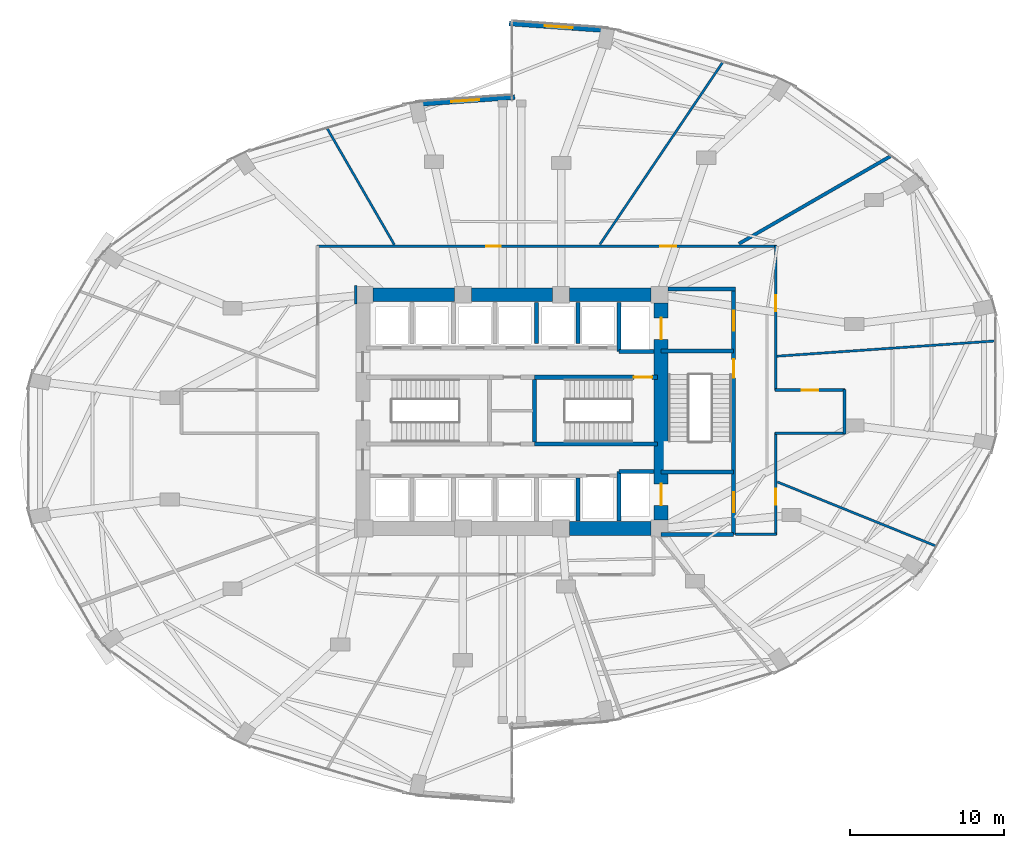
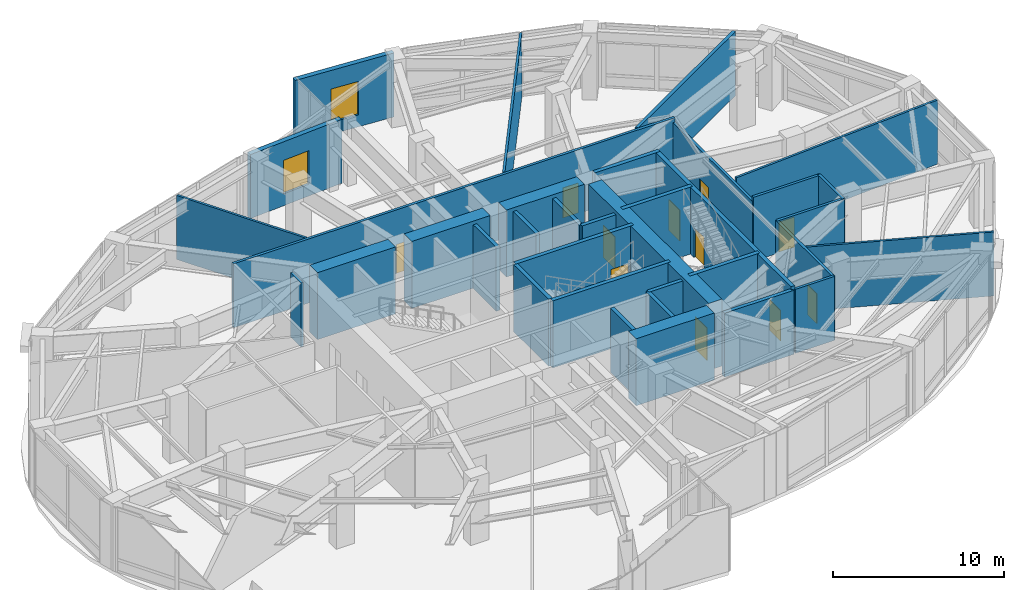
# One storey, part 22 of 24: 35 walls, 11 doors, 2 windows, 13 openings.
"""IFC4 building model written with IfcOpenShell, lengths in metres."""

from ifc_helpers import new_model, si_unit, direction, frame, frame_2d, origin, place, context, subcontext, project, spatial, rectangle, extrude, material, layer, layer_set, type_object, element, fill, save


model = new_model("IFC4")

# Units and contexts
model_context = context("Model", 3, precision=1e-05, world=origin(), true_north=direction((0.0, 1.0)))
body_context = subcontext(model_context, "Body", "Model", "MODEL_VIEW")
ifc_project = project(units=[si_unit("LENGTHUNIT", "METRE"), si_unit("AREAUNIT", "SQUARE_METRE"), si_unit("VOLUMEUNIT", "CUBIC_METRE"), si_unit("PLANEANGLEUNIT", "RADIAN"), si_unit("MASSUNIT", "GRAM", prefix="KILO")], contexts=[model_context])

# Site, building, storey
site_placement = place(None, origin())
site = spatial("IfcSite", under=ifc_project, at=site_placement, CompositionType="ELEMENT")
building_placement = place(site_placement, origin())
building = spatial("IfcBuilding", under=site, at=building_placement, Name="Lazwardi Medical Tower", CompositionType="ELEMENT")
storey_placement = place(building_placement, frame((0.0, 0.0, 20.39990234375)))
storey = spatial("IfcBuildingStorey", under=building, at=storey_placement, Name="L04", CompositionType="ELEMENT", Elevation=20.39990234375)

# Wall, openings, doors
ifc_material_1 = material(Name="Fire-rated gypsum board on steel stud", Category="steel")
ifc_layer_1 = layer(ifc_material_1, 0.179931640625)
ifc_layer_set_1 = layer_set([ifc_layer_1], Name="Fire-rated gypsum board on steel stud")
wall_type_1 = type_object("IfcWallType", Name="WL-COR-180", PredefinedType="PARTITIONING", material=ifc_layer_set_1)
wall_1_placement = place(storey_placement, frame((23.31005859375, 38.75, 0.0), z_axis=(0.0, 0.0, 1.0), x_axis=(1.0, 0.0, 0.0)))
wall_1 = element("IfcWall", 1, at=wall_1_placement, inside=storey, type_object=wall_type_1, Name="L04 Corridor partition 4", PredefinedType="PARTITIONING", context=body_context, shape_type="SweptSolid", body=[
    extrude(rectangle(XDim=29.8798828125, YDim=0.179931640625, at=frame_2d((14.93994140625, 0.0))), origin(), (0.0, 0.0, 1.0), 4.580078125),
])
opening_1_placement = place(wall_1_placement, frame((22.32421875, 0.0, 0.0)))
opening_1 = element("IfcOpeningElement", 2, at=opening_1_placement, cuts=wall_1, Name="Opening D-L04-014", PredefinedType="OPENING", context=body_context, shape_type="SweptSolid", body=[
    extrude(rectangle(XDim=1.050048828125, YDim=2.14990234375, at=frame_2d((0.52490234375, 1.074951171875))), frame((0.0, 0.099853515625, 0.0), z_axis=(0.0, -1.0, 0.0), x_axis=(1.0, 0.0, 0.0)), (0.0, 0.0, 1.0), 0.199951171875),
])
opening_2_placement = place(wall_1_placement, frame((11.014892578125, 0.0, 0.0)))
opening_2 = element("IfcOpeningElement", 3, at=opening_2_placement, cuts=wall_1, Name="Opening D-L04-015", PredefinedType="OPENING", context=body_context, shape_type="SweptSolid", body=[
    extrude(rectangle(XDim=0.949951171875, YDim=2.10009765625, at=frame_2d((0.47509765625, 1.050048828125))), frame((0.0, 0.099853515625, 0.0), z_axis=(0.0, -1.0, 0.0), x_axis=(1.0, 0.0, 0.0)), (0.0, 0.0, 1.0), 0.199951171875),
])
ifc_material_2 = material(Name="Anti-microbial laminate hospital leaf")
door_type_1 = type_object("IfcDoorType", Name="DR-CLN-1050", OperationType="NOTDEFINED", PredefinedType="DOOR", material=ifc_material_2)
door_1_placement = place(opening_1_placement, origin())
door_1 = element("IfcDoor", 4, at=door_1_placement, inside=storey, type_object=door_type_1, Name="L04 Medication Preparation Room Door 08", OperationType="SINGLE_SWING_RIGHT", OverallHeight=2.14990234375, OverallWidth=1.050048828125, PredefinedType="DOOR", context=body_context, shape_type="SweptSolid", body=[
    extrude(rectangle(XDim=1.050048828125, YDim=2.14990234375, at=frame_2d((0.52490234375, 1.074951171875))), frame((0.0, 0.02490234375, 0.0), z_axis=(0.0, -1.0, 0.0), x_axis=(1.0, 0.0, 0.0)), (0.0, 0.0, 1.0), 0.050048828125),
])
fill(opening_1, door_1)
ifc_material_3 = material(Name="Moisture-resistant laminate door leaf")
door_type_2 = type_object("IfcDoorType", Name="DR-ENS-950", OperationType="NOTDEFINED", PredefinedType="DOOR", material=ifc_material_3)
door_2_placement = place(opening_2_placement, origin())
door_2 = element("IfcDoor", 5, at=door_2_placement, inside=storey, type_object=door_type_2, Name="L04 Operating Theatre Door 09", OperationType="SINGLE_SWING_LEFT", OverallHeight=2.10009765625, OverallWidth=0.949951171875, PredefinedType="DOOR", context=body_context, shape_type="SweptSolid", body=[
    extrude(rectangle(XDim=0.949951171875, YDim=2.10009765625, at=frame_2d((0.47509765625, 1.050048828125))), frame((0.0, 0.02490234375, 0.0), z_axis=(0.0, -1.0, 0.0), x_axis=(1.0, 0.0, 0.0)), (0.0, 0.0, 1.0), 0.050048828125),
])
fill(opening_2, door_2)

# Wall, opening, door
wall_2_placement = place(storey_placement, frame((53.14990234375, 38.7900390625, 0.0), z_axis=(0.0, 0.0, 1.0), x_axis=(0.0, -1.0, 0.0)))
wall_2 = element("IfcWall", 6, at=wall_2_placement, inside=storey, type_object=wall_type_1, Name="L04 Corridor partition 5", PredefinedType="PARTITIONING", context=body_context, shape_type="SweptSolid", body=[
    extrude(rectangle(XDim=9.429931640625, YDim=0.179931640625, at=frame_2d((4.71484375, 0.0))), origin(), (0.0, 0.0, 1.0), 4.26513671875),
])
opening_3_placement = place(wall_2_placement, frame((3.22607421875, 0.0, 0.0)))
opening_3 = element("IfcOpeningElement", 7, at=opening_3_placement, cuts=wall_2, Name="Opening D-L04-013", PredefinedType="OPENING", context=body_context, shape_type="SweptSolid", body=[
    extrude(rectangle(XDim=1.050048828125, YDim=2.14990234375, at=frame_2d((0.52490234375, 1.074951171875))), frame((0.0, 0.099853515625, 0.0), z_axis=(0.0, -1.0, 0.0), x_axis=(1.0, 0.0, 0.0)), (0.0, 0.0, 1.0), 0.199951171875),
])
door_3_placement = place(opening_3_placement, origin())
door_3 = element("IfcDoor", 8, at=door_3_placement, inside=storey, type_object=door_type_1, Name="L04 Clean Utility Room Door 07", OperationType="SINGLE_SWING_LEFT", OverallHeight=2.14990234375, OverallWidth=1.050048828125, PredefinedType="DOOR", context=body_context, shape_type="SweptSolid", body=[
    extrude(rectangle(XDim=1.050048828125, YDim=2.14990234375, at=frame_2d((0.52490234375, 1.074951171875))), frame((0.0, 0.02490234375, 0.0), z_axis=(0.0, -1.0, 0.0), x_axis=(1.0, 0.0, 0.0)), (0.0, 0.0, 1.0), 0.050048828125),
])
fill(opening_3, door_3)

wall_3_placement = place(storey_placement, frame((53.110107421875, 29.39990234375, 0.0), z_axis=(0.0, 0.0, 1.0), x_axis=(1.0, 0.0, 0.0)))
wall_3 = element("IfcWall", 9, at=wall_3_placement, inside=storey, type_object=wall_type_1, Name="L04 Corridor partition 6", PredefinedType="PARTITIONING", context=body_context, shape_type="SweptSolid", body=[
    extrude(rectangle(XDim=4.5478515625, YDim=0.179931640625, at=frame_2d((2.27392578125, 0.0))), origin(), (0.0, 0.0, 1.0), 4.580078125),
])
opening_4_placement = place(wall_3_placement, frame((1.7490234375, 0.0, 0.0)))
opening_4 = element("IfcOpeningElement", 10, at=opening_4_placement, cuts=wall_3, Name="Opening D-L04-012", PredefinedType="OPENING", context=body_context, shape_type="SweptSolid", body=[
    extrude(rectangle(XDim=1.050048828125, YDim=2.14990234375, at=frame_2d((0.52490234375, 1.074951171875))), frame((0.0, 0.099853515625, 0.0), z_axis=(0.0, -1.0, 0.0), x_axis=(1.0, 0.0, 0.0)), (0.0, 0.0, 1.0), 0.199951171875),
])
door_4_placement = place(opening_4_placement, origin())
door_4 = element("IfcDoor", 11, at=door_4_placement, inside=storey, type_object=door_type_1, Name="L04 Staff Changing and Shower Room Door 06", OperationType="SINGLE_SWING_RIGHT", OverallHeight=2.14990234375, OverallWidth=1.050048828125, PredefinedType="DOOR", context=body_context, shape_type="SweptSolid", body=[
    extrude(rectangle(XDim=1.050048828125, YDim=2.14990234375, at=frame_2d((0.52490234375, 1.074951171875))), frame((0.0, 0.02490234375, 0.0), z_axis=(0.0, -1.0, 0.0), x_axis=(1.0, 0.0, 0.0)), (0.0, 0.0, 1.0), 0.050048828125),
])
fill(opening_4, door_4)

# Walls
wall_4_placement = place(storey_placement, frame((57.617919921875, 29.43994140625, 0.0), z_axis=(0.0, 0.0, 1.0), x_axis=(0.0, -1.0, 0.0)))
element("IfcWall", 12, at=wall_4_placement, inside=storey, type_object=wall_type_1, Name="L04 Corridor partition 7", PredefinedType="PARTITIONING", context=body_context, shape_type="SweptSolid", body=[
    extrude(rectangle(XDim=2.8798828125, YDim=0.179931640625, at=frame_2d((1.43994140625, 0.0))), origin(), (0.0, 0.0, 1.0), 4.580078125),
])
wall_5_placement = place(storey_placement, frame((57.657958984375, 26.60009765625, 0.0), z_axis=(0.0, 0.0, 1.0), x_axis=(-1.0, 0.0, 0.0)))
element("IfcWall", 13, at=wall_5_placement, inside=storey, type_object=wall_type_1, Name="L04 Corridor partition 8", PredefinedType="PARTITIONING", context=body_context, shape_type="SweptSolid", body=[
    extrude(rectangle(XDim=4.5478515625, YDim=0.179931640625, at=frame_2d((2.27392578125, 0.0))), origin(), (0.0, 0.0, 1.0), 4.580078125),
])

# Wall, opening, door
wall_6_placement = place(storey_placement, frame((53.14990234375, 26.639892578125, 0.0), z_axis=(0.0, 0.0, 1.0), x_axis=(0.0, -1.0, 0.0)))
wall_6 = element("IfcWall", 14, at=wall_6_placement, inside=storey, type_object=wall_type_1, Name="L04 Corridor partition 9", PredefinedType="PARTITIONING", context=body_context, shape_type="SweptSolid", body=[
    extrude(rectangle(XDim=6.659912109375, YDim=0.179931640625, at=frame_2d((3.330078125, 0.0))), origin(), (0.0, 0.0, 1.0), 4.580078125),
])
opening_5_placement = place(wall_6_placement, frame((3.653076171875, 0.0, 0.0)))
opening_5 = element("IfcOpeningElement", 15, at=opening_5_placement, cuts=wall_6, Name="Opening D-L04-011", PredefinedType="OPENING", context=body_context, shape_type="SweptSolid", body=[
    extrude(rectangle(XDim=1.050048828125, YDim=2.14990234375, at=frame_2d((0.52490234375, 1.074951171875))), frame((0.0, 0.099853515625, 0.0), z_axis=(0.0, -1.0, 0.0), x_axis=(1.0, 0.0, 0.0)), (0.0, 0.0, 1.0), 0.199951171875),
])
door_5_placement = place(opening_5_placement, origin())
door_5 = element("IfcDoor", 16, at=door_5_placement, inside=storey, type_object=door_type_1, Name="L04 Post-Anaesthesia Recovery Ward Door 05", OperationType="SINGLE_SWING_LEFT", OverallHeight=2.14990234375, OverallWidth=1.050048828125, PredefinedType="DOOR", context=body_context, shape_type="SweptSolid", body=[
    extrude(rectangle(XDim=1.050048828125, YDim=2.14990234375, at=frame_2d((0.52490234375, 1.074951171875))), frame((0.0, 0.02490234375, 0.0), z_axis=(0.0, -1.0, 0.0), x_axis=(1.0, 0.0, 0.0)), (0.0, 0.0, 1.0), 0.050048828125),
])
fill(opening_5, door_5)

# Walls
wall_7_placement = place(storey_placement, frame((53.18994140625, 20.02001953125, 0.0), z_axis=(0.0, 0.0, 1.0), x_axis=(-1.0, 0.0, 0.0)))
element("IfcWall", 17, at=wall_7_placement, inside=storey, type_object=wall_type_1, Name="L04 Corridor partition 10", PredefinedType="PARTITIONING", context=body_context, shape_type="SweptSolid", body=[
    extrude(rectangle(XDim=2.64990234375, YDim=0.179931640625, at=frame_2d((1.324951171875, 0.0))), origin(), (0.0, 0.0, 1.0), 4.580078125),
])
wall_8_placement = place(storey_placement, frame((25.830078125, 36.2099609375, 0.0), z_axis=(0.0, 0.0, 1.0), x_axis=(0.0, -1.0, 0.0)))
element("IfcWall", 18, at=wall_8_placement, inside=storey, type_object=wall_type_1, Name="L04 Corridor partition 11", PredefinedType="PARTITIONING", context=body_context, shape_type="SweptSolid", body=[
    extrude(rectangle(XDim=1.219970703125, YDim=0.179931640625, at=frame_2d((0.60986328125, 0.0))), origin(), (0.0, 0.0, 1.0), 4.580078125),
])

# Wall, openings, doors
ifc_material_4 = material(Name="Concrete C80/95", Category="concrete")
ifc_layer_2 = layer(ifc_material_4, 0.89990234375)
ifc_layer_set_2 = layer_set([ifc_layer_2], Name="Concrete C80/95")
wall_type_2 = type_object("IfcWallType", Name="WL-CORE-900", PredefinedType="SHEAR", material=ifc_layer_set_2)
wall_9_placement = place(storey_placement, frame((45.699951171875, 20.949951171875, 0.0), z_axis=(0.0, 0.0, 1.0), x_axis=(0.0, 1.0, 0.0)))
wall_9 = element("IfcWall", 19, at=wall_9_placement, inside=storey, type_object=wall_type_2, Name="Core wall CW-S1 east L04", PredefinedType="SHEAR", context=body_context, shape_type="SweptSolid", body=[
    extrude(rectangle(XDim=14.10009765625, YDim=0.89990234375, at=frame_2d((7.050048828125, 0.0))), origin(), (0.0, 0.0, 1.0), 4.800048828125),
])
opening_6_placement = place(wall_9_placement, frame((11.75, 0.0, 0.0)))
opening_6 = element("IfcOpeningElement", 20, at=opening_6_placement, cuts=wall_9, Name="Opening LD-L04-001", PredefinedType="OPENING", context=body_context, shape_type="SweptSolid", body=[
    extrude(rectangle(XDim=1.39990234375, YDim=2.300048828125, at=frame_2d((0.699951171875, 1.14990234375))), frame((0.0, 0.4599609375, 0.0), z_axis=(0.0, -1.0, 0.0), x_axis=(1.0, 0.0, 0.0)), (0.0, 0.0, 1.0), 0.919921875),
])
opening_7_placement = place(wall_9_placement, frame((0.949951171875, 0.0, 0.0)))
opening_7 = element("IfcOpeningElement", 21, at=opening_7_placement, cuts=wall_9, Name="Opening LD-L04-002", PredefinedType="OPENING", context=body_context, shape_type="SweptSolid", body=[
    extrude(rectangle(XDim=1.39990234375, YDim=2.300048828125, at=frame_2d((0.699951171875, 1.14990234375))), frame((0.0, 0.4599609375, 0.0), z_axis=(0.0, -1.0, 0.0), x_axis=(1.0, 0.0, 0.0)), (0.0, 0.0, 1.0), 0.919921875),
])
ifc_material_5 = material(Name="Brushed stainless steel bed-lift landing door", Category="steel")
door_type_3 = type_object("IfcDoorType", Name="DR-LFT-1400", OperationType="NOTDEFINED", PredefinedType="DOOR", material=ifc_material_5)
door_6_placement = place(opening_6_placement, origin())
door_6 = element("IfcDoor", 22, at=door_6_placement, inside=storey, type_object=door_type_3, Name="L04 Lift Landing Door FL-01", OperationType="SLIDING_TO_LEFT", OverallHeight=2.300048828125, OverallWidth=1.39990234375, PredefinedType="DOOR", context=body_context, shape_type="SweptSolid", body=[
    extrude(rectangle(XDim=1.39990234375, YDim=2.300048828125, at=frame_2d((0.699951171875, 1.14990234375))), frame((0.0, 0.02490234375, 0.0), z_axis=(0.0, -1.0, 0.0), x_axis=(1.0, 0.0, 0.0)), (0.0, 0.0, 1.0), 0.050048828125),
])
fill(opening_6, door_6)
door_7_placement = place(opening_7_placement, origin())
door_7 = element("IfcDoor", 23, at=door_7_placement, inside=storey, type_object=door_type_3, Name="L04 Lift Landing Door FL-02", OperationType="SLIDING_TO_LEFT", OverallHeight=2.300048828125, OverallWidth=1.39990234375, PredefinedType="DOOR", context=body_context, shape_type="SweptSolid", body=[
    extrude(rectangle(XDim=1.39990234375, YDim=2.300048828125, at=frame_2d((0.699951171875, 1.14990234375))), frame((0.0, 0.02490234375, 0.0), z_axis=(0.0, -1.0, 0.0), x_axis=(1.0, 0.0, 0.0)), (0.0, 0.0, 1.0), 0.050048828125),
])
fill(opening_7, door_7)

# Walls
wall_10_placement = place(storey_placement, frame((26.949951171875, 35.60009765625, 0.0), z_axis=(0.0, 0.0, 1.0), x_axis=(1.0, 0.0, 0.0)))
element("IfcWall", 24, at=wall_10_placement, inside=storey, type_object=wall_type_2, Name="Core wall CW-S1 N1 L04", PredefinedType="SHEAR", context=body_context, shape_type="SweptSolid", body=[
    extrude(rectangle(XDim=5.300048828125, YDim=0.89990234375, at=frame_2d((2.64990234375, 0.0))), origin(), (0.0, 0.0, 1.0), 4.800048828125),
])
wall_11_placement = place(storey_placement, frame((33.35009765625, 35.60009765625, 0.0), z_axis=(0.0, 0.0, 1.0), x_axis=(1.0, 0.0, 0.0)))
element("IfcWall", 25, at=wall_11_placement, inside=storey, type_object=wall_type_2, Name="Core wall CW-S1 N2 L04", PredefinedType="SHEAR", context=body_context, shape_type="SweptSolid", body=[
    extrude(rectangle(XDim=5.2998046875, YDim=0.89990234375, at=frame_2d((2.64990234375, 0.0))), origin(), (0.0, 0.0, 1.0), 4.800048828125),
])
for number, where, z_axis, x_axis, name in (
    (26, (39.75, 20.39990234375, 0.0), (0.0, 0.0, 1.0), (1.0, 0.0, 0.0), "Core wall CW-S1 S3 L04"),
    (27, (39.75, 35.60009765625, 0.0), (0.0, 0.0, 1.0), (1.0, 0.0, 0.0), "Core wall CW-S1 N3 L04"),
):
    element("IfcWall", number, at=place(storey_placement, frame(where, z_axis=z_axis, x_axis=x_axis)), inside=storey, type_object=wall_type_2, Name=name, PredefinedType="SHEAR", context=body_context, shape_type="SweptSolid", body=[
        extrude(rectangle(XDim=5.300048828125, YDim=0.89990234375, at=frame_2d((2.64990234375, 0.0))), origin(), (0.0, 0.0, 1.0), 4.800048828125),
    ])

# Wall, opening, window
ifc_material_6 = material(Name="Precast concrete C45/55", Category="concrete")
ifc_layer_3 = layer(ifc_material_6, 0.320068359375)
ifc_layer_set_3 = layer_set([ifc_layer_3], Name="Precast concrete C45/55")
wall_type_3 = type_object("IfcWallType", Name="WL-IWAN-320", PredefinedType="SOLIDWALL", material=ifc_layer_set_3)
wall_12_placement = place(storey_placement, frame((42.26171875, 52.797607421875, 0.0), z_axis=(0.0, 0.0, 1.0), x_axis=(-0.99751367159, 0.070473221795, 0.0)))
wall_12 = element("IfcWall", 28, at=wall_12_placement, inside=storey, type_object=wall_type_3, Name="L04 Iwan Portal Return Wall NE_ret", PredefinedType="SOLIDWALL", context=body_context, shape_type="SweptSolid", body=[
    extrude(rectangle(XDim=6.45751953125, YDim=0.320068359375, at=frame_2d((3.228759765625, 0.0))), origin(), (0.0, 0.0, 1.0), 4.580078125),
])
opening_8_placement = place(wall_12_placement, frame((2.32861328125, 0.0, 0.85009765625)))
opening_8 = element("IfcOpeningElement", 29, at=opening_8_placement, cuts=wall_12, Name="Opening WN-03", PredefinedType="OPENING", context=body_context, shape_type="SweptSolid", body=[
    extrude(rectangle(XDim=1.800048828125, YDim=2.39990234375, at=frame_2d((0.89990234375, 1.199951171875))), frame((0.0, 0.169921875, 0.0), z_axis=(0.0, -1.0, 0.0), x_axis=(1.0, 0.0, 0.0)), (0.0, 0.0, 1.0), 0.340087890625),
])
ifc_material_7 = material(Name="Laminated acoustic bronze double glazing", Category="glass")
window_type = type_object("IfcWindowType", Name="WIN-POD-1800", PartitioningType="SINGLE_PANEL", PredefinedType="WINDOW", material=ifc_material_7)
window_1_placement = place(opening_8_placement, origin())
window_1 = element("IfcWindow", 30, at=window_1_placement, inside=storey, type_object=window_type, Name="L04 Iwan Slot Window NE_ret", OverallHeight=2.39990234375, OverallWidth=1.800048828125, PartitioningType="SINGLE_PANEL", PredefinedType="WINDOW", context=body_context, shape_type="SweptSolid", body=[
    extrude(rectangle(XDim=1.800048828125, YDim=2.39990234375, at=frame_2d((0.89990234375, 1.199951171875))), frame((0.0, 0.030029296875, 0.0), z_axis=(0.0, -1.0, 0.0), x_axis=(1.0, 0.0, 0.0)), (0.0, 0.0, 1.0), 0.06005859375),
])
fill(opening_8, window_1)

wall_13_placement = place(storey_placement, frame((36.178955078125, 48.45263671875, 0.0), z_axis=(0.0, 0.0, 1.0), x_axis=(-0.997513108184, -0.070481196075, 0.0)))
wall_13 = element("IfcWall", 31, at=wall_13_placement, inside=storey, type_object=wall_type_3, Name="L04 Iwan Portal Return Wall NW_ret", PredefinedType="SOLIDWALL", context=body_context, shape_type="SweptSolid", body=[
    extrude(rectangle(XDim=6.456787109375, YDim=0.320068359375, at=frame_2d((3.228515625, 0.0))), origin(), (0.0, 0.0, 1.0), 4.580078125),
])
opening_9_placement = place(wall_13_placement, frame((2.328369140625, 0.0, 0.85009765625)))
opening_9 = element("IfcOpeningElement", 32, at=opening_9_placement, cuts=wall_13, Name="Opening WN-03", PredefinedType="OPENING", context=body_context, shape_type="SweptSolid", body=[
    extrude(rectangle(XDim=1.800048828125, YDim=2.39990234375, at=frame_2d((0.89990234375, 1.199951171875))), frame((0.0, 0.169921875, 0.0), z_axis=(0.0, -1.0, 0.0), x_axis=(1.0, 0.0, 0.0)), (0.0, 0.0, 1.0), 0.340087890625),
])
window_2_placement = place(opening_9_placement, origin())
window_2 = element("IfcWindow", 33, at=window_2_placement, inside=storey, type_object=window_type, Name="L04 Iwan Slot Window NW_ret", OverallHeight=2.39990234375, OverallWidth=1.800048828125, PartitioningType="SINGLE_PANEL", PredefinedType="WINDOW", context=body_context, shape_type="SweptSolid", body=[
    extrude(rectangle(XDim=1.800048828125, YDim=2.39990234375, at=frame_2d((0.89990234375, 1.199951171875))), frame((0.0, 0.030029296875, 0.0), z_axis=(0.0, -1.0, 0.0), x_axis=(1.0, 0.0, 0.0)), (0.0, 0.0, 1.0), 0.06005859375),
])
fill(opening_9, window_2)

# Walls
ifc_material_8 = material(Name="Autoclaved aerated concrete blockwork", Category="masonry")
ifc_layer_4 = layer(ifc_material_8, 0.25)
ifc_layer_set_4 = layer_set([ifc_layer_4], Name="Autoclaved aerated concrete blockwork")
wall_type_4 = type_object("IfcWallType", Name="WL-SHAFT-250", PredefinedType="SOLIDWALL", material=ifc_layer_set_4)
wall_14_placement = place(storey_placement, frame((42.949951171875, 31.919921875, 0.0), z_axis=(0.0, 0.0, 1.0), x_axis=(0.0, 1.0, 0.0)))
element("IfcWall", 34, at=wall_14_placement, inside=storey, type_object=wall_type_4, Name="L04 FL-01 West shaft wall", PredefinedType="SOLIDWALL", context=body_context, shape_type="SweptSolid", body=[
    extrude(rectangle(XDim=3.18017578125, YDim=0.25, at=frame_2d((1.590087890625, 0.0))), origin(), (0.0, 0.0, 1.0), 4.580078125),
])
wall_15_placement = place(storey_placement, frame((42.949951171875, 31.919921875, 0.0), z_axis=(0.0, 0.0, 1.0), x_axis=(1.0, 0.0, 0.0)))
element("IfcWall", 35, at=wall_15_placement, inside=storey, type_object=wall_type_4, Name="L04 FL-01 South shaft wall", PredefinedType="SOLIDWALL", context=body_context, shape_type="SweptSolid", body=[
    extrude(rectangle(XDim=2.300048828125, YDim=0.25, at=frame_2d((1.14990234375, 0.0))), origin(), (0.0, 0.0, 1.0), 4.580078125),
])
wall_16_placement = place(storey_placement, frame((42.949951171875, 20.89990234375, 0.0), z_axis=(0.0, 0.0, 1.0), x_axis=(0.0, 1.0, 0.0)))
element("IfcWall", 36, at=wall_16_placement, inside=storey, type_object=wall_type_4, Name="L04 FL-02 West shaft wall", PredefinedType="SOLIDWALL", context=body_context, shape_type="SweptSolid", body=[
    extrude(rectangle(XDim=3.2001953125, YDim=0.25, at=frame_2d((1.60009765625, 0.0))), origin(), (0.0, 0.0, 1.0), 4.580078125),
])
wall_17_placement = place(storey_placement, frame((42.949951171875, 24.10009765625, 0.0), z_axis=(0.0, 0.0, 1.0), x_axis=(1.0, 0.0, 0.0)))
element("IfcWall", 37, at=wall_17_placement, inside=storey, type_object=wall_type_4, Name="L04 FL-02 North shaft wall", PredefinedType="SOLIDWALL", context=body_context, shape_type="SweptSolid", body=[
    extrude(rectangle(XDim=2.300048828125, YDim=0.25, at=frame_2d((1.14990234375, 0.0))), origin(), (0.0, 0.0, 1.0), 4.580078125),
])
for number, where, z_axis, x_axis, name in (
    (38, (37.60009765625, 32.419921875, 0.0), (0.0, 0.0, 1.0), (0.0, 1.0, 0.0), "L04 North hoistway divider"),
    (39, (40.300048828125, 32.419921875, 0.0), (0.0, 0.0, 1.0), (0.0, 1.0, 0.0), "L04 North hoistway divider"),
):
    element("IfcWall", number, at=place(storey_placement, frame(where, z_axis=z_axis, x_axis=x_axis)), inside=storey, type_object=wall_type_4, Name=name, PredefinedType="SOLIDWALL", context=body_context, shape_type="SweptSolid", body=[
        extrude(rectangle(XDim=2.68017578125, YDim=0.25, at=frame_2d((1.340087890625, 0.0))), origin(), (0.0, 0.0, 1.0), 4.580078125),
    ])
wall_18_placement = place(storey_placement, frame((40.300048828125, 20.89990234375, 0.0), z_axis=(0.0, 0.0, 1.0), x_axis=(0.0, 1.0, 0.0)))
element("IfcWall", 40, at=wall_18_placement, inside=storey, type_object=wall_type_4, Name="L04 South hoistway divider", PredefinedType="SOLIDWALL", context=body_context, shape_type="SweptSolid", body=[
    extrude(rectangle(XDim=2.800048828125, YDim=0.25, at=frame_2d((1.39990234375, 0.0))), origin(), (0.0, 0.0, 1.0), 4.580078125),
])
wall_19_placement = place(storey_placement, frame((45.699951171875, 20.02001953125, 0.0), z_axis=(0.0, 0.0, 1.0), x_axis=(1.0, 0.0, 0.0)))
element("IfcWall", 41, at=wall_19_placement, inside=storey, type_object=wall_type_4, Name="L04 FFL-S South wall", PredefinedType="SOLIDWALL", context=body_context, shape_type="SweptSolid", body=[
    extrude(rectangle(XDim=4.715087890625, YDim=0.25, at=frame_2d((2.357421875, 0.0))), origin(), (0.0, 0.0, 1.0), 4.580078125),
])
ifc_layer_5 = layer(ifc_material_1, 0.219970703125)
ifc_layer_set_5 = layer_set([ifc_layer_5], Name="Fire-rated gypsum board on steel stud")
wall_type_5 = type_object("IfcWallType", Name="WL-SMK-220", PredefinedType="PARTITIONING", material=ifc_layer_set_5)
wall_20_placement = place(storey_placement, frame((50.761474609375, 38.922607421875, 0.0), z_axis=(0.0, 0.0, 1.0), x_axis=(0.866026972346, 0.499997283162, 0.0)))
element("IfcWall", 42, at=wall_20_placement, inside=storey, type_object=wall_type_5, Name="L04 Room partition 5", PredefinedType="PARTITIONING", context=body_context, shape_type="SweptSolid", body=[
    extrude(rectangle(XDim=11.40625, YDim=0.219970703125, at=frame_2d((5.703125, 0.0))), origin(), (0.0, 0.0, 1.0), 4.580078125),
])

# Wall, opening, door
ifc_material_9 = material(Name="Concrete C50/60", Category="concrete")
ifc_layer_6 = layer(ifc_material_9, 0.27001953125)
ifc_layer_set_6 = layer_set([ifc_layer_6], Name="Concrete C50/60")
wall_type_6 = type_object("IfcWallType", Name="WL-STR-250", PredefinedType="SHEAR", material=ifc_layer_set_6)
wall_21_placement = place(storey_placement, frame((37.465087890625, 30.235107421875, 0.0), z_axis=(0.0, 0.0, 1.0), x_axis=(1.0, 0.0, 0.0)))
wall_21 = element("IfcWall", 43, at=wall_21_placement, inside=storey, type_object=wall_type_6, Name="L04 ST2 North shear shaft wall SW-S1", PredefinedType="SHEAR", context=body_context, shape_type="SweptSolid", body=[
    extrude(rectangle(XDim=7.98486328125, YDim=0.27001953125, at=frame_2d((3.992431640625, 0.0))), origin(), (0.0, 0.0, 1.0), 4.800048828125),
])
opening_10_placement = place(wall_21_placement, frame((6.455078125, 0.0, 0.0)))
opening_10 = element("IfcOpeningElement", 44, at=opening_10_placement, cuts=wall_21, Name="Opening D-L04-018", PredefinedType="OPENING", context=body_context, shape_type="SweptSolid", body=[
    extrude(rectangle(XDim=1.199951171875, YDim=2.14990234375, at=frame_2d((0.60009765625, 1.074951171875))), frame((0.0, 0.14501953125, 0.0), z_axis=(0.0, -1.0, 0.0), x_axis=(1.0, 0.0, 0.0)), (0.0, 0.0, 1.0), 0.2900390625),
])
ifc_material_10 = material(Name="Fire-rated steel leaf and frame", Category="steel")
door_type_4 = type_object("IfcDoorType", Name="DR-STR-1200", OperationType="NOTDEFINED", PredefinedType="DOOR", material=ifc_material_10)
door_8_placement = place(opening_10_placement, origin())
door_8 = element("IfcDoor", 45, at=door_8_placement, inside=storey, type_object=door_type_4, Name="L04 Exit Stair ST2 Door", OperationType="SINGLE_SWING_LEFT", OverallHeight=2.14990234375, OverallWidth=1.199951171875, PredefinedType="DOOR", context=body_context, shape_type="SweptSolid", body=[
    extrude(rectangle(XDim=1.199951171875, YDim=2.14990234375, at=frame_2d((0.60009765625, 1.074951171875))), frame((0.0, 0.02490234375, 0.0), z_axis=(0.0, -1.0, 0.0), x_axis=(1.0, 0.0, 0.0)), (0.0, 0.0, 1.0), 0.050048828125),
])
fill(opening_10, door_8)

# Walls
wall_22_placement = place(storey_placement, frame((37.465087890625, 25.885009765625, 0.0), z_axis=(0.0, 0.0, 1.0), x_axis=(1.0, 0.0, 0.0)))
element("IfcWall", 46, at=wall_22_placement, inside=storey, type_object=wall_type_6, Name="L04 ST2 South shear shaft wall SW-S1", PredefinedType="SHEAR", context=body_context, shape_type="SweptSolid", body=[
    extrude(rectangle(XDim=7.98486328125, YDim=0.27001953125, at=frame_2d((3.992431640625, 0.0))), origin(), (0.0, 0.0, 1.0), 4.800048828125),
])
wall_23_placement = place(storey_placement, frame((37.465087890625, 26.02001953125, 0.0), z_axis=(0.0, 0.0, 1.0), x_axis=(0.0, 1.0, 0.0)))
element("IfcWall", 47, at=wall_23_placement, inside=storey, type_object=wall_type_6, Name="L04 ST2 West shear shaft wall SW-S1", PredefinedType="SHEAR", context=body_context, shape_type="SweptSolid", body=[
    extrude(rectangle(XDim=4.080078125, YDim=0.27001953125, at=frame_2d((2.0400390625, 0.0))), origin(), (0.0, 0.0, 1.0), 4.800048828125),
])

# Wall, openings, doors
wall_24_placement = place(storey_placement, frame((50.4150390625, 35.844970703125, 0.0), z_axis=(0.0, 0.0, 1.0), x_axis=(0.0, -1.0, 0.0)))
wall_24 = element("IfcWall", 48, at=wall_24_placement, inside=storey, type_object=wall_type_6, Name="L04 East ST3 & FFL shear wall SW-S1", PredefinedType="SHEAR", context=body_context, shape_type="SweptSolid", body=[
    extrude(rectangle(XDim=15.824951171875, YDim=0.27001953125, at=frame_2d((7.91259765625, 0.0))), origin(), (0.0, 0.0, 1.0), 4.800048828125),
])
opening_11_placement = place(wall_24_placement, frame((4.445068359375, 0.0, 0.0)))
opening_11 = element("IfcOpeningElement", 49, at=opening_11_placement, cuts=wall_24, Name="Opening D-L04-019", PredefinedType="OPENING", context=body_context, shape_type="SweptSolid", body=[
    extrude(rectangle(XDim=1.199951171875, YDim=2.14990234375, at=frame_2d((0.60009765625, 1.074951171875))), frame((0.0, 0.14501953125, 0.0), z_axis=(0.0, -1.0, 0.0), x_axis=(1.0, 0.0, 0.0)), (0.0, 0.0, 1.0), 0.2900390625),
])
opening_12_placement = place(wall_24_placement, frame((1.294921875, 0.0, 0.0)))
opening_12 = element("IfcOpeningElement", 50, at=opening_12_placement, cuts=wall_24, Name="Opening D-L04-003", PredefinedType="OPENING", context=body_context, shape_type="SweptSolid", body=[
    extrude(rectangle(XDim=1.300048828125, YDim=2.199951171875, at=frame_2d((0.64990234375, 1.10009765625))), frame((0.0, 0.14501953125, 0.0), z_axis=(0.0, -1.0, 0.0), x_axis=(1.0, 0.0, 0.0)), (0.0, 0.0, 1.0), 0.2900390625),
])
opening_13_placement = place(wall_24_placement, frame((13.094970703125, 0.0, 0.0)))
opening_13 = element("IfcOpeningElement", 51, at=opening_13_placement, cuts=wall_24, Name="Opening D-L04-004", PredefinedType="OPENING", context=body_context, shape_type="SweptSolid", body=[
    extrude(rectangle(XDim=1.300048828125, YDim=2.199951171875, at=frame_2d((0.64990234375, 1.10009765625))), frame((0.0, 0.14501953125, 0.0), z_axis=(0.0, -1.0, 0.0), x_axis=(1.0, 0.0, 0.0)), (0.0, 0.0, 1.0), 0.2900390625),
])
door_type_5 = type_object("IfcDoorType", Name="DR-FFL-1300", OperationType="NOTDEFINED", PredefinedType="DOOR", material=ifc_material_10)
door_9_placement = place(opening_12_placement, origin())
door_9 = element("IfcDoor", 52, at=door_9_placement, inside=storey, type_object=door_type_5, Name="L04 Fire-Fighting Lobby North Door", OperationType="SINGLE_SWING_LEFT", OverallHeight=2.199951171875, OverallWidth=1.300048828125, PredefinedType="DOOR", context=body_context, shape_type="SweptSolid", body=[
    extrude(rectangle(XDim=1.300048828125, YDim=2.199951171875, at=frame_2d((0.64990234375, 1.10009765625))), frame((0.0, 0.02490234375, 0.0), z_axis=(0.0, -1.0, 0.0), x_axis=(1.0, 0.0, 0.0)), (0.0, 0.0, 1.0), 0.050048828125),
])
fill(opening_12, door_9)
door_10_placement = place(opening_13_placement, origin())
door_10 = element("IfcDoor", 53, at=door_10_placement, inside=storey, type_object=door_type_5, Name="L04 Fire-Fighting Lobby South Door", OperationType="SINGLE_SWING_RIGHT", OverallHeight=2.199951171875, OverallWidth=1.300048828125, PredefinedType="DOOR", context=body_context, shape_type="SweptSolid", body=[
    extrude(rectangle(XDim=1.300048828125, YDim=2.199951171875, at=frame_2d((0.64990234375, 1.10009765625))), frame((0.0, 0.02490234375, 0.0), z_axis=(0.0, -1.0, 0.0), x_axis=(1.0, 0.0, 0.0)), (0.0, 0.0, 1.0), 0.050048828125),
])
fill(opening_13, door_10)
door_11_placement = place(opening_11_placement, origin())
door_11 = element("IfcDoor", 54, at=door_11_placement, inside=storey, type_object=door_type_4, Name="L04 Exit Stair ST3 Door", OperationType="SINGLE_SWING_RIGHT", OverallHeight=2.14990234375, OverallWidth=1.199951171875, PredefinedType="DOOR", context=body_context, shape_type="SweptSolid", body=[
    extrude(rectangle(XDim=1.199951171875, YDim=2.14990234375, at=frame_2d((0.60009765625, 1.074951171875))), frame((0.0, 0.02490234375, 0.0), z_axis=(0.0, -1.0, 0.0), x_axis=(1.0, 0.0, 0.0)), (0.0, 0.0, 1.0), 0.050048828125),
])
fill(opening_11, door_11)

# Walls
wall_25_placement = place(storey_placement, frame((46.14990234375, 35.97998046875, 0.0), z_axis=(0.0, 0.0, 1.0), x_axis=(1.0, 0.0, 0.0)))
element("IfcWall", 55, at=wall_25_placement, inside=storey, type_object=wall_type_6, Name="L04 FFL-N North shear wall SW-S1", PredefinedType="SHEAR", context=body_context, shape_type="SweptSolid", body=[
    extrude(rectangle(XDim=4.400146484375, YDim=0.27001953125, at=frame_2d((2.2001953125, 0.0))), origin(), (0.0, 0.0, 1.0), 4.800048828125),
])
for number, where, z_axis, x_axis, name in (
    (56, (45.699951171875, 31.93505859375, 0.0), (0.0, 0.0, 1.0), (1.0, 0.0, 0.0), "L04 ST3 North shear shaft wall SW-S1"),
    (57, (45.699951171875, 24.06494140625, 0.0), (0.0, 0.0, 1.0), (1.0, 0.0, 0.0), "L04 ST3 South shear shaft wall SW-S1"),
):
    element("IfcWall", number, at=place(storey_placement, frame(where, z_axis=z_axis, x_axis=x_axis)), inside=storey, type_object=wall_type_6, Name=name, PredefinedType="SHEAR", context=body_context, shape_type="SweptSolid", body=[
        extrude(rectangle(XDim=4.715087890625, YDim=0.27001953125, at=frame_2d((2.357421875, 0.0))), origin(), (0.0, 0.0, 1.0), 4.800048828125),
    ])
ifc_material_11 = material(Name="Acoustic gypsum board partition")
ifc_layer_7 = layer(ifc_material_11, 0.14990234375)
ifc_layer_set_7 = layer_set([ifc_layer_7], Name="Acoustic gypsum board partition")
wall_type_7 = type_object("IfcWallType", Name="WL-WRD-150", PredefinedType="PARTITIONING", material=ifc_layer_set_7)
wall_26_placement = place(storey_placement, frame((53.260498046875, 23.42626953125, 0.0), z_axis=(0.0, 0.0, 1.0), x_axis=(0.927183900085, -0.374606480754, 0.0)))
element("IfcWall", 58, at=wall_26_placement, inside=storey, type_object=wall_type_7, Name="L04 Room partition 3", PredefinedType="PARTITIONING", context=body_context, shape_type="SweptSolid", body=[
    extrude(rectangle(XDim=11.14453125, YDim=0.14990234375, at=frame_2d((5.572265625, 0.0))), origin(), (0.0, 0.0, 1.0), 4.580078125),
])
wall_27_placement = place(storey_placement, frame((53.239990234375, 31.60546875, 0.0), z_axis=(0.0, 0.0, 1.0), x_axis=(0.997563398333, 0.069765796107, 0.0)))
element("IfcWall", 59, at=wall_27_placement, inside=storey, type_object=wall_type_7, Name="L04 Room partition 4", PredefinedType="PARTITIONING", context=body_context, shape_type="SweptSolid", body=[
    extrude(rectangle(XDim=14.232177734375, YDim=0.14990234375, at=frame_2d((7.1162109375, 0.0))), origin(), (0.0, 0.0, 1.0), 4.580078125),
])
wall_28_placement = place(storey_placement, frame((41.716796875, 38.87548828125, 0.0), z_axis=(0.0, 0.0, 1.0), x_axis=(0.559191016445, 0.829038845367, 0.0)))
element("IfcWall", 60, at=wall_28_placement, inside=storey, type_object=wall_type_7, Name="L04 Room partition 6", PredefinedType="PARTITIONING", context=body_context, shape_type="SweptSolid", body=[
    extrude(rectangle(XDim=14.313720703125, YDim=0.14990234375, at=frame_2d((7.15673828125, 0.0))), origin(), (0.0, 0.0, 1.0), 4.580078125),
])
wall_29_placement = place(storey_placement, frame((28.34619140625, 38.85693359375, 0.0), z_axis=(0.0, 0.0, 1.0), x_axis=(-0.500008731563, 0.866020362555, 0.0)))
element("IfcWall", 61, at=wall_29_placement, inside=storey, type_object=wall_type_7, Name="L04 Room partition 7", PredefinedType="PARTITIONING", context=body_context, shape_type="SweptSolid", body=[
    extrude(rectangle(XDim=8.760009765625, YDim=0.14990234375, at=frame_2d((4.3798828125, 0.0))), origin(), (0.0, 0.0, 1.0), 4.580078125),
])

save(model, "model.ifc")
